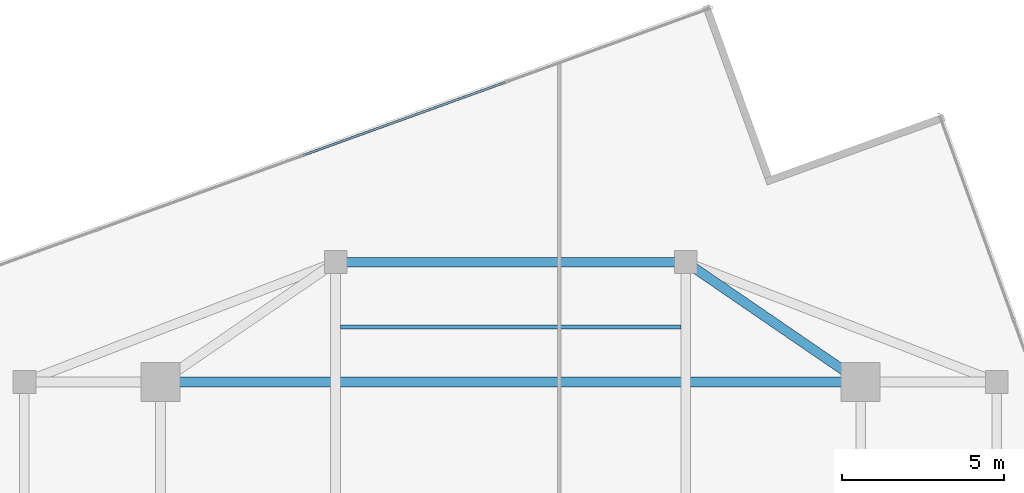
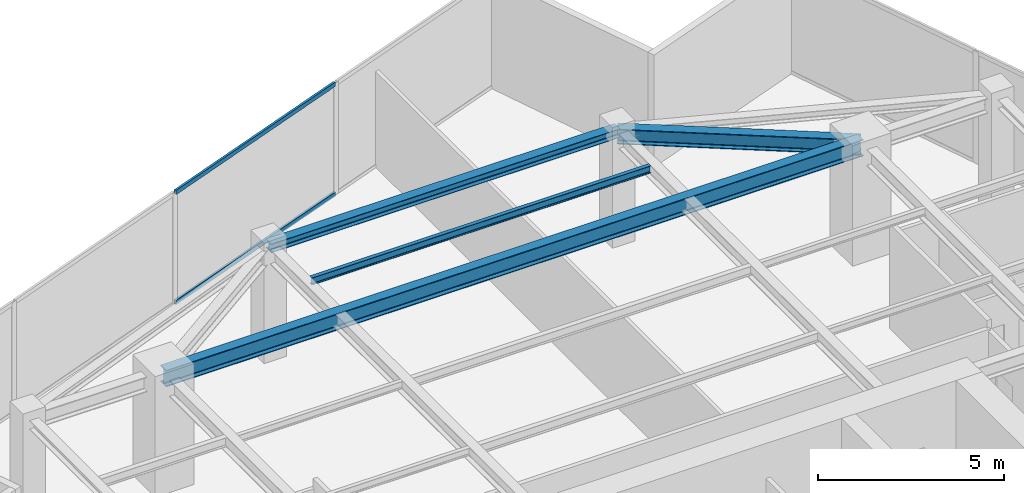
# One storey, part 14 of 21: 4 beams, 2 members, 1 element without a shape of its own.
"""IFC4 building model written with IfcOpenShell, lengths in metres."""

from ifc_helpers import new_model, si_unit, direction, frame, origin, origin_2d, place, context, subcontext, project, spatial, hollow_rectangle, i_section, extrude, source, transform, mapped, material, material_profile, profile_set, type_object, type_shapes, element, aggregate, save


model = new_model("IFC4")

# Units and contexts
model_context = context("Model", 3, precision=1e-05, world=origin(), true_north=direction((0.0, 1.0)))
body_context = subcontext(model_context, "Body", "Model", "MODEL_VIEW")
ifc_project = project(units=[si_unit("LENGTHUNIT", "METRE"), si_unit("AREAUNIT", "SQUARE_METRE"), si_unit("VOLUMEUNIT", "CUBIC_METRE"), si_unit("PLANEANGLEUNIT", "RADIAN"), si_unit("MASSUNIT", "GRAM", prefix="KILO")], contexts=[model_context])

# Site, building, storey
site_placement = place(None, origin())
site = spatial("IfcSite", under=ifc_project, at=site_placement, CompositionType="ELEMENT")
building_placement = place(site_placement, origin())
building = spatial("IfcBuilding", under=site, at=building_placement, Name="Krantzveldt Concourse Tower", CompositionType="ELEMENT")
storey_placement = place(building_placement, frame((0.0, 0.0, 331.64990234375)))
storey = spatial("IfcBuildingStorey", under=building, at=storey_placement, Name="L81", CompositionType="ELEMENT", Elevation=331.64990234375)

# Beams
ifc_material_1 = material(Name="Steel S355JR", Category="steel")
ifc_material_profile_1 = material_profile(ifc_material_1, i_section(OverallWidth=0.300048828125, OverallDepth=0.489990234375, WebThickness=0.011962890625, FlangeThickness=0.02294921875, FilletRadius=0.027099609375, at=origin_2d()), Name="Steel S355JR", Category="steel")
ifc_profile_set_1 = profile_set([ifc_material_profile_1], Name="Steel S355JR - HEA 500")
beam_type_1 = type_object("IfcBeamType", Name="BM-B-HEA500", PredefinedType="BEAM", material=ifc_profile_set_1)
shared_shape_1 = source(origin(), body_context, "Body", "SweptSolid", [
    extrude(i_section(OverallWidth=0.300048828125, OverallDepth=0.489990234375, WebThickness=0.011962890625, FlangeThickness=0.02294921875, FilletRadius=0.027099609375, at=origin_2d()), origin(), (0.0, 0.0, 1.0), 6.546142578125),
])
type_shapes(beam_type_1, [shared_shape_1])
beam_1_placement = place(storey_placement, frame((46.800048828125, 37.5, 3.425048828125), z_axis=(-0.824942999484, 0.565215930068, 0.0), x_axis=(-0.565215930068, -0.824942999484, 0.0)))
element("IfcBeam", 1, at=beam_1_placement, inside=storey, type_object=beam_type_1, Name="L81 Tower Girder BR-RR4", PredefinedType="BEAM", context=body_context, shape_type="MappedRepresentation", body=[
    mapped(shared_shape_1, transform((0.0, 0.0, 0.0), x_axis=(1.0, 0.0, 0.0), y_axis=(0.0, 1.0, 0.0), z_axis=(0.0, 0.0, 1.0), scale=1.0)),
])
ifc_material_profile_2 = material_profile(ifc_material_1, i_section(OverallWidth=0.300048828125, OverallDepth=0.5400390625, WebThickness=0.012451171875, FlangeThickness=0.02392578125, FilletRadius=0.027099609375, at=origin_2d()), Name="Steel S355JR", Category="steel")
ifc_profile_set_2 = profile_set([ifc_material_profile_2], Name="Steel S355JR - HEA 550")
beam_type_2 = type_object("IfcBeamType", Name="BM-B-HEA550", PredefinedType="BEAM", material=ifc_profile_set_2)
shared_shape_2 = source(origin(), body_context, "Body", "SweptSolid", [
    extrude(i_section(OverallWidth=0.300048828125, OverallDepth=0.5400390625, WebThickness=0.012451171875, FlangeThickness=0.02392578125, FilletRadius=0.027099609375, at=origin_2d()), origin(), (0.0, 0.0, 1.0), 21.60009765625),
])
type_shapes(beam_type_2, [shared_shape_2])
beam_2_placement = place(storey_placement, frame((25.199951171875, 37.5, 3.400146484375), z_axis=(1.0, 0.0, 0.0), x_axis=(0.0, 1.0, 0.0)))
element("IfcBeam", 2, at=beam_2_placement, inside=storey, type_object=beam_type_2, Name="L81 Tower Girder BG-MN", PredefinedType="BEAM", context=body_context, shape_type="MappedRepresentation", body=[
    mapped(shared_shape_2, transform((0.0, 0.0, 0.0), x_axis=(1.0, 0.0, 0.0), y_axis=(0.0, 1.0, 0.0), z_axis=(0.0, 0.0, 1.0), scale=1.0)),
])
ifc_material_profile_3 = material_profile(ifc_material_1, i_section(OverallWidth=0.2900390625, OverallDepth=0.2900390625, WebThickness=0.008544921875, FlangeThickness=0.013916015625, FilletRadius=0.027099609375, at=origin_2d()), Name="Steel S355JR", Category="steel")
ifc_profile_set_3 = profile_set([ifc_material_profile_3], Name="Steel S355JR - HEA 300")
beam_type_3 = type_object("IfcBeamType", Name="BM-SP-HEA300", PredefinedType="SPANDREL", material=ifc_profile_set_3)
shared_shape_3 = source(origin(), body_context, "Body", "SweptSolid", [
    extrude(i_section(OverallWidth=0.2900390625, OverallDepth=0.2900390625, WebThickness=0.008544921875, FlangeThickness=0.013916015625, FilletRadius=0.027099609375, at=origin_2d()), origin(), (0.0, 0.0, 1.0), 10.7998046875),
])
type_shapes(beam_type_3, [shared_shape_3])
beam_3_placement = place(storey_placement, frame((30.60009765625, 41.199951171875, 3.525146484375), z_axis=(1.0, 0.0, 0.0), x_axis=(0.0, 1.0, 0.0)))
element("IfcBeam", 3, at=beam_3_placement, inside=storey, type_object=beam_type_3, Name="L81 Tower Girder SP-R04", PredefinedType="SPANDREL", context=body_context, shape_type="MappedRepresentation", body=[
    mapped(shared_shape_3, transform((0.0, 0.0, 0.0), x_axis=(1.0, 0.0, 0.0), y_axis=(0.0, 1.0, 0.0), z_axis=(0.0, 0.0, 1.0), scale=1.0)),
])
ifc_material_profile_4 = material_profile(ifc_material_1, i_section(OverallWidth=0.1201171875, OverallDepth=0.239990234375, WebThickness=0.006103515625, FlangeThickness=0.009765625, FilletRadius=0.014892578125, at=origin_2d()), Name="Steel S355JR", Category="steel")
ifc_profile_set_4 = profile_set([ifc_material_profile_4], Name="Steel S355JR - IPE 240")
beam_type_4 = type_object("IfcBeamType", Name="BM-LN-IPE240", PredefinedType="LINTEL", material=ifc_profile_set_4)
shared_shape_4 = source(origin(), body_context, "Body", "SweptSolid", [
    extrude(i_section(OverallWidth=0.1201171875, OverallDepth=0.239990234375, WebThickness=0.006103515625, FlangeThickness=0.009765625, FilletRadius=0.014892578125, at=origin_2d()), origin(), (0.0, 0.0, 1.0), 10.5),
])
type_shapes(beam_type_4, [shared_shape_4])
beam_4_placement = place(storey_placement, frame((30.75, 39.199951171875, 3.550048828125), z_axis=(1.0, 0.0, 0.0), x_axis=(0.0, 1.0, 0.0)))
element("IfcBeam", 4, at=beam_4_placement, inside=storey, type_object=beam_type_4, Name="L81 Secondary Floor Joist JN-C3", PredefinedType="LINTEL", context=body_context, shape_type="MappedRepresentation", body=[
    mapped(shared_shape_4, transform((0.0, 0.0, 0.0), x_axis=(1.0, 0.0, 0.0), y_axis=(0.0, 1.0, 0.0), z_axis=(0.0, 0.0, 1.0), scale=1.0)),
])

# Curtain wall, members
ifc_material_2 = material(Name="Anodised aluminium 6063-T6", Category="aluminium")
curtain_wall_type = type_object("IfcCurtainWallType", Name="CW4", PredefinedType="USERDEFINED", material=ifc_material_2)
curtain_wall_placement = place(storey_placement, origin())
curtain_wall = element("IfcCurtainWall", 5, at=curtain_wall_placement, inside=storey, type_object=curtain_wall_type, Name="CW-L81-F01", ObjectType="UNITISED CURTAIN WALL", PredefinedType="USERDEFINED")
ifc_material_profile_5 = material_profile(ifc_material_2, hollow_rectangle(XDim=0.070068359375, YDim=0.139892578125, WallThickness=0.0048828125, at=origin_2d()), Name="Anodised aluminium 6063-T6", Category="aluminium")
ifc_profile_set_5 = profile_set([ifc_material_profile_5], Name="Anodised aluminium 6063-T6 - ALU-TRAN 140x70x5")
member_type = type_object("IfcMemberType", Name="CW-TRN-150", PredefinedType="USERDEFINED", material=ifc_profile_set_5)
shared_shape_5 = source(origin(), body_context, "Body", "SweptSolid", [
    extrude(hollow_rectangle(XDim=0.070068359375, YDim=0.139892578125, WallThickness=0.0048828125, at=origin_2d()), origin(), (0.0, 0.0, 1.0), 6.6298828125),
])
type_shapes(member_type, [shared_shape_5])
member_1_placement = place(storey_placement, frame((35.839111328125, 46.74951171875, 0.03515625), z_axis=(-0.940441114499, -0.339956629823, 0.0), x_axis=(0.339956629823, -0.940441114499, 0.0)))
member_1 = element("IfcMember", 6, at=member_1_placement, type_object=member_type, Name="CW-Z56 transom 2.1", ObjectType="TRANSOM", PredefinedType="USERDEFINED", context=body_context, shape_type="MappedRepresentation", body=[
    mapped(shared_shape_5, transform((0.0, 0.0, 0.0), x_axis=(1.0, 0.0, 0.0), y_axis=(0.0, 1.0, 0.0), z_axis=(0.0, 0.0, 1.0), scale=1.0)),
])
member_2_placement = place(storey_placement, frame((35.839111328125, 46.74951171875, 3.635009765625), z_axis=(-0.940441114499, -0.339956629823, 0.0), x_axis=(0.339956629823, -0.940441114499, 0.0)))
member_2 = element("IfcMember", 7, at=member_2_placement, type_object=member_type, Name="CW-Z56 transom 2.2", ObjectType="TRANSOM", PredefinedType="USERDEFINED", context=body_context, shape_type="MappedRepresentation", body=[
    mapped(shared_shape_5, transform((0.0, 0.0, 0.0), x_axis=(1.0, 0.0, 0.0), y_axis=(0.0, 1.0, 0.0), z_axis=(0.0, 0.0, 1.0), scale=1.0)),
])
aggregate(curtain_wall, [member_1, member_2])

save(model, "model.ifc")
